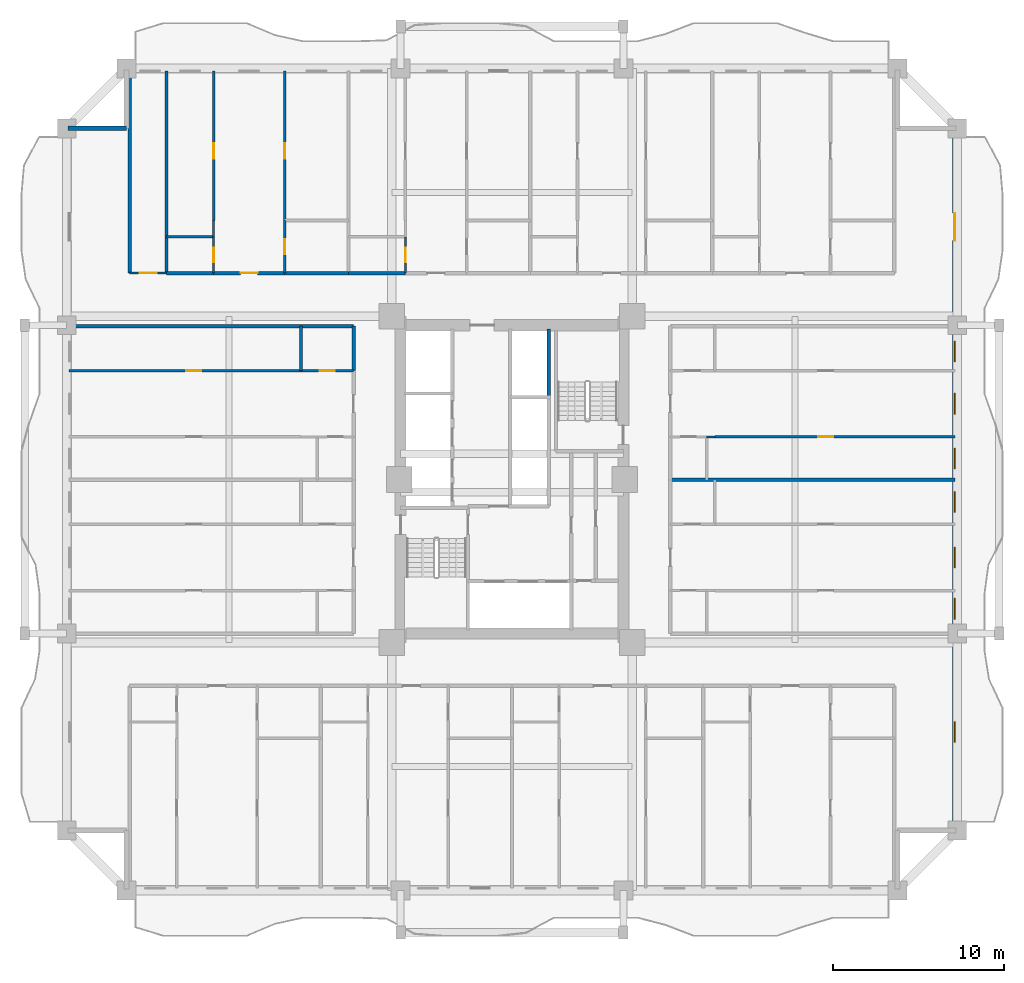
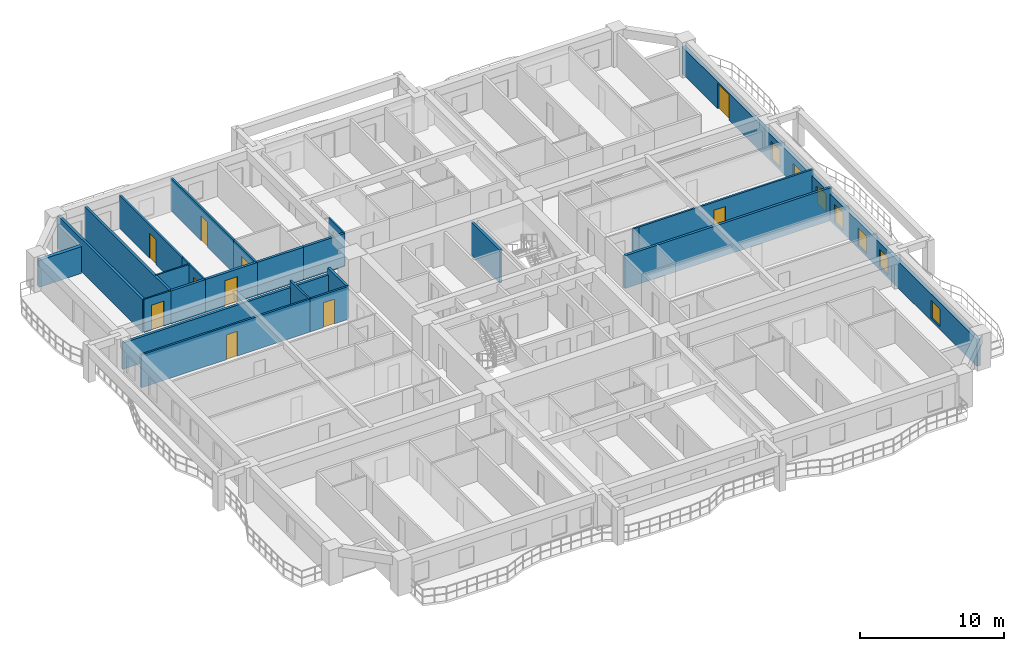
# One storey, part 6 of 16: 25 walls, 11 doors, 7 windows, 18 openings.
"""IFC4 building model written with IfcOpenShell, lengths in metres."""

import ifcopenshell
import ifcopenshell.guid

model = None  # the IFC model being written
_history = None  # IfcOwnerHistory: only IFC2X3 demands one
_inside = {}  # id of a spatial element -> (the spatial element, [elements in it])
_under = {}  # id of a project, library or spatial element -> (it, [spatial elements below it])
_declared = {}  # id of a project -> (the project, [libraries it declares])
_typed = {}  # id of a type object -> (the type object, [elements of that type])
_made_of = {}  # id of a material, layer set ... -> (it, [elements and type objects made of it])


def new_model(schema):
    """Start an empty IFC model of exactly this schema.

    Asked for "IFC4X3", IfcOpenShell would pick the latest addendum, in which some entities
    have other attributes; the version numbers below select the first issue.
    IFC2X3 requires an IfcOwnerHistory on every rooted entity: one is made here for all.
    """
    global model, _history
    if schema == "IFC4X3":
        model = ifcopenshell.file(schema_version=(4, 3, 0, 0))
    else:
        model = ifcopenshell.file(schema=schema)
    _inside.clear()
    _under.clear()
    _declared.clear()
    _typed.clear()
    _made_of.clear()
    _history = None
    if model.schema == "IFC2X3":
        org = make("IfcOrganization", Name="unknown")
        user = make(
            "IfcPersonAndOrganization",
            ThePerson=make("IfcPerson", FamilyName="unknown"),
            TheOrganization=org,
        )
        app = make(
            "IfcApplication",
            ApplicationDeveloper=org,
            Version="unknown",
            ApplicationFullName="unknown",
            ApplicationIdentifier="unknown",
        )
        _history = make(
            "IfcOwnerHistory",
            OwningUser=user,
            OwningApplication=app,
            ChangeAction="ADDED",
            CreationDate=0,
        )
    return model


def make(cls, **values):
    """One entity of the class cls with the attributes given. An attribute that is None is left unset."""
    return model.create_entity(
        cls, **{name: value for name, value in values.items() if value is not None}
    )


def rooted(cls, **values):
    """An entity with a GlobalId (a new one), such as an element, a storey or a relation."""
    return make(cls, GlobalId=ifcopenshell.guid.new(), OwnerHistory=_history, **values)


def si_unit(unit_type, name, prefix=None):
    """IfcSIUnit, for example si_unit("LENGTHUNIT", "METRE", prefix="MILLI")."""
    return make("IfcSIUnit", UnitType=unit_type, Prefix=prefix, Name=name)


def assignment(units):
    """IfcUnitAssignment: the units of a project."""
    return None if units is None else make("IfcUnitAssignment", Units=units)


def point(xyz):
    """IfcCartesianPoint."""
    return None if xyz is None else make("IfcCartesianPoint", Coordinates=xyz)


def direction(xyz):
    """IfcDirection."""
    return None if xyz is None else make("IfcDirection", DirectionRatios=xyz)


def frame(location, z_axis=None, x_axis=None):
    """IfcAxis2Placement3D, a coordinate frame: its origin and axes. An axis left out is left unset."""
    return make(
        "IfcAxis2Placement3D",
        Location=point(location),
        Axis=direction(z_axis),
        RefDirection=direction(x_axis),
    )


def frame_2d(location, x_axis=None):
    """IfcAxis2Placement2D, a coordinate frame in the plane: its origin and x axis."""
    return make(
        "IfcAxis2Placement2D", Location=point(location), RefDirection=direction(x_axis)
    )


def origin():
    """The frame at (0, 0, 0) with its axes left unset."""
    return frame((0.0, 0.0, 0.0))


def place(relative_to, where):
    """IfcLocalPlacement: puts the frame where relative to a parent placement (None: the world)."""
    return make(
        "IfcLocalPlacement", PlacementRelTo=relative_to, RelativePlacement=where
    )


def context(
    kind, dimensions, precision=None, world=None, true_north=None, identifier=None
):
    """IfcGeometricRepresentationContext, for example the 3D "Model" context."""
    return make(
        "IfcGeometricRepresentationContext",
        ContextIdentifier=identifier,
        ContextType=kind,
        CoordinateSpaceDimension=dimensions,
        Precision=precision,
        WorldCoordinateSystem=world,
        TrueNorth=true_north,
    )


def subcontext(parent, identifier, kind, view, scale=None):
    """IfcGeometricRepresentationSubContext, for example "Body" below "Model"."""
    return make(
        "IfcGeometricRepresentationSubContext",
        ContextIdentifier=identifier,
        ContextType=kind,
        ParentContext=parent,
        TargetScale=scale,
        TargetView=view,
    )


def project(units=None, contexts=None):
    """IfcProject with its units and contexts."""
    return rooted(
        "IfcProject",
        Name="project",
        RepresentationContexts=contexts,
        UnitsInContext=assignment(units),
    )


def spatial(cls, under=None, at=None, **own):
    """A site, building, storey or space (cls), placed at a placement, below another one or the project."""
    s = rooted(cls, ObjectPlacement=at, **own)
    if under is not None:
        _under.setdefault(under.id(), (under, []))[1].append(s)
    return s


def profile(cls, at=None, kind="AREA", **sizes):
    """A parametric profile (cls). Its sizes go by their IFC names, for example OverallWidth=200.0."""
    return make(cls, ProfileType=kind, Position=at, **sizes)


def rectangle(**sizes):
    """IfcRectangleProfileDef."""
    return profile("IfcRectangleProfileDef", **sizes)


def extrude(swept, where, along, depth):
    """IfcExtrudedAreaSolid: the profile swept, set in the frame where, extruded along a direction by depth."""
    return make(
        "IfcExtrudedAreaSolid",
        SweptArea=swept,
        Position=where,
        ExtrudedDirection=direction(along),
        Depth=depth,
    )


def shape(context_of_items, identifier, shape_type, items):
    """IfcShapeRepresentation: the items that make up one representation, for example the "Body"."""
    return make(
        "IfcShapeRepresentation",
        ContextOfItems=context_of_items,
        RepresentationIdentifier=identifier,
        RepresentationType=shape_type,
        Items=items,
    )


def source(mapping_origin, context_of_items, identifier, shape_type, items):
    """IfcRepresentationMap: a shape defined once, which mapped items show again and again."""
    return make(
        "IfcRepresentationMap",
        MappingOrigin=mapping_origin,
        MappedRepresentation=shape(context_of_items, identifier, shape_type, items),
    )


def transform(
    local_origin,
    x_axis=None,
    y_axis=None,
    z_axis=None,
    scale=None,
    scale2=None,
    scale3=None,
    uniform=True,
):
    """IfcCartesianTransformationOperator3D, or its non-uniform kind. x_axis, y_axis, z_axis: its Axis1, 2, 3."""
    if uniform:
        return make(
            "IfcCartesianTransformationOperator3D",
            Axis1=direction(x_axis),
            Axis2=direction(y_axis),
            LocalOrigin=point(local_origin),
            Scale=scale,
            Axis3=direction(z_axis),
        )
    return make(
        "IfcCartesianTransformationOperator3DnonUniform",
        Axis1=direction(x_axis),
        Axis2=direction(y_axis),
        LocalOrigin=point(local_origin),
        Scale=scale,
        Axis3=direction(z_axis),
        Scale2=scale2,
        Scale3=scale3,
    )


def mapped(mapping_source, mapping_target):
    """IfcMappedItem: shows the shape of a source again, moved by a transform."""
    return make(
        "IfcMappedItem", MappingSource=mapping_source, MappingTarget=mapping_target
    )


def material(Name=None, Category=None):
    """IfcMaterial."""
    return make("IfcMaterial", Name=Name, Category=Category)


def layer(
    of_material, thickness, ventilated=None, Name=None, Category=None, Priority=None
):
    """IfcMaterialLayer: one layer of a wall or slab, of a material (None: an air gap)."""
    return make(
        "IfcMaterialLayer",
        Material=of_material,
        LayerThickness=thickness,
        IsVentilated=ventilated,
        Name=Name,
        Category=Category,
        Priority=Priority,
    )


def layer_set(layers, Name=None):
    """IfcMaterialLayerSet."""
    return make("IfcMaterialLayerSet", MaterialLayers=layers, LayerSetName=Name)


def made_of(thing, what):
    """Note that an element or type object is made of a material, layer set ...; save() writes the relation."""
    if what is not None:
        _made_of.setdefault(what.id(), (what, []))[1].append(thing)
    return thing


def type_object(cls, material=None, **own):
    """A type object (cls), such as IfcWallType, which elements share."""
    return made_of(rooted(cls, **own), material)


def element(
    cls,
    number,
    at=None,
    inside=None,
    cuts=None,
    type_object=None,
    material=None,
    context=None,
    identifier="Body",
    shape_type=None,
    held_by="IfcProductDefinitionShape",
    body=None,
    shapes=None,
    **own,
):
    """One element of the class cls, such as IfcWall. Its Tag is "e" and its number.

    at: its placement. inside: the storey or other place that contains it. cuts: it is an
    opening in that element (IfcRelVoidsElement). A single representation is given by context,
    identifier, shape_type and body (its items); several are given by shapes. held_by: the class
    of the entity that holds the representations. save() writes the other relations.
    """
    e = rooted(cls, Tag="e%d" % number, ObjectPlacement=at, **own)
    if body is not None:
        shapes = [shape(context, identifier, shape_type, body)]
    if shapes is not None:
        e.Representation = make(held_by, Representations=shapes)
    if inside is not None:
        _inside.setdefault(inside.id(), (inside, []))[1].append(e)
    if cuts is not None:
        rooted(
            "IfcRelVoidsElement", RelatingBuildingElement=cuts, RelatedOpeningElement=e
        )
    if type_object is not None:
        _typed.setdefault(type_object.id(), (type_object, []))[1].append(e)
    return made_of(e, material)


def fill(opening, filler):
    """IfcRelFillsElement: the door or window that sits in an opening."""
    return rooted(
        "IfcRelFillsElement",
        RelatingOpeningElement=opening,
        RelatedBuildingElement=filler,
    )


def aggregate(whole, parts):
    """IfcRelAggregates: a whole, such as a stair, and the parts it consists of."""
    return rooted("IfcRelAggregates", RelatingObject=whole, RelatedObjects=parts)


def save(model, path):
    """Write the relations noted so far, then the file.

    IfcRelAggregates (storeys below a building ...), IfcRelContainedInSpatialStructure (elements
    in a storey), IfcRelDefinesByType, IfcRelAssociatesMaterial and IfcRelDeclares: one each for
    every whole, place, type object, material and project.
    """
    for whole, parts in _under.values():
        aggregate(whole, parts)
    for where, things in _inside.values():
        rooted(
            "IfcRelContainedInSpatialStructure",
            RelatedElements=things,
            RelatingStructure=where,
        )
    for kind, things in _typed.values():
        rooted("IfcRelDefinesByType", RelatedObjects=things, RelatingType=kind)
    for what, things in _made_of.values():
        rooted("IfcRelAssociatesMaterial", RelatedObjects=things, RelatingMaterial=what)
    for by, libraries in _declared.values():
        rooted("IfcRelDeclares", RelatingContext=by, RelatedDefinitions=libraries)
    model.write(path)


model = new_model("IFC4")

# Units and contexts
model_context = context("Model", 3, precision=1e-05, world=origin(), true_north=direction((0.0, 1.0)))
body_context = subcontext(model_context, "Body", "Model", "MODEL_VIEW")
ifc_project = project(units=[si_unit("LENGTHUNIT", "METRE"), si_unit("AREAUNIT", "SQUARE_METRE"), si_unit("VOLUMEUNIT", "CUBIC_METRE"), si_unit("PLANEANGLEUNIT", "RADIAN"), si_unit("MASSUNIT", "GRAM", prefix="KILO")], contexts=[model_context])

# Site, building, storey
site_placement = place(None, origin())
site = spatial("IfcSite", under=ifc_project, at=site_placement, CompositionType="ELEMENT")
building_placement = place(site_placement, origin())
building = spatial("IfcBuilding", under=site, at=building_placement, Name="Saelheon Loggia Tower", CompositionType="ELEMENT")
storey_placement = place(building_placement, frame((0.0, 0.0, 64.39990234375)))
storey = spatial("IfcBuildingStorey", under=building, at=storey_placement, Name="L20", CompositionType="ELEMENT", Elevation=64.39990234375)

# Wall, openings, windows, door
ifc_material_1 = material(Name="Architectural Precast Concrete C40/50", Category="concrete")
ifc_layer_1 = layer(ifc_material_1, 0.280029296875)
ifc_layer_set_1 = layer_set([ifc_layer_1], Name="Architectural Precast Concrete C40/50")
wall_type_1 = type_object("IfcWallType", Name="Wall_Ext_Loggia_280", PredefinedType="SOLIDWALL", material=ifc_layer_set_1)
wall_1_placement = place(storey_placement, frame((63.860107421875, 6.5, 0.0), z_axis=(0.0, 0.0, 1.0), x_axis=(0.0, 1.0, 0.0)))
wall_1 = element("IfcWall", 1, at=wall_1_placement, inside=storey, type_object=wall_type_1, Name="L20 East Loggia Inner Wall", PredefinedType="SOLIDWALL", context=body_context, shape_type="SweptSolid", body=[
    extrude(rectangle(XDim=41.0, YDim=0.280029296875, at=frame_2d((20.5, 0.0))), origin(), (0.0, 0.0, 1.0), 2.280029296875),
])
opening_1_placement = place(wall_1_placement, frame((5.14990234375, 0.0, 0.25)))
opening_1 = element("IfcOpeningElement", 2, at=opening_1_placement, cuts=wall_1, Name="Opening WN-03", PredefinedType="OPENING", context=body_context, shape_type="SweptSolid", body=[
    extrude(rectangle(XDim=1.199951171875, YDim=1.5, at=frame_2d((0.60009765625, 0.75))), frame((0.0, 0.152099609375, 0.0), z_axis=(0.0, -1.0, 0.0), x_axis=(1.0, 0.0, 0.0)), (0.0, 0.0, 1.0), 0.303955078125),
])
opening_2_placement = place(wall_1_placement, frame((12.3515625, 0.0, 0.25)))
opening_2 = element("IfcOpeningElement", 3, at=opening_2_placement, cuts=wall_1, Name="Opening WN-03", PredefinedType="OPENING", context=body_context, shape_type="SweptSolid", body=[
    extrude(rectangle(XDim=1.199951171875, YDim=1.5, at=frame_2d((0.60009765625, 0.75))), frame((0.0, 0.152099609375, 0.0), z_axis=(0.0, -1.0, 0.0), x_axis=(1.0, 0.0, 0.0)), (0.0, 0.0, 1.0), 0.303955078125),
])
opening_3_placement = place(wall_1_placement, frame((15.343994140625, 0.0, 0.25)))
opening_3 = element("IfcOpeningElement", 4, at=opening_3_placement, cuts=wall_1, Name="Opening WN-03", PredefinedType="OPENING", context=body_context, shape_type="SweptSolid", body=[
    extrude(rectangle(XDim=1.199951171875, YDim=1.5, at=frame_2d((0.60009765625, 0.75))), frame((0.0, 0.152099609375, 0.0), z_axis=(0.0, -1.0, 0.0), x_axis=(1.0, 0.0, 0.0)), (0.0, 0.0, 1.0), 0.303955078125),
])
opening_4_placement = place(wall_1_placement, frame((18.574951171875, 0.0, 0.25)))
opening_4 = element("IfcOpeningElement", 5, at=opening_4_placement, cuts=wall_1, Name="Opening WN-03", PredefinedType="OPENING", context=body_context, shape_type="SweptSolid", body=[
    extrude(rectangle(XDim=1.199951171875, YDim=1.5, at=frame_2d((0.60009765625, 0.75))), frame((0.0, 0.152099609375, 0.0), z_axis=(0.0, -1.0, 0.0), x_axis=(1.0, 0.0, 0.0)), (0.0, 0.0, 1.0), 0.303955078125),
])
opening_5_placement = place(wall_1_placement, frame((21.131591796875, 0.0, 0.25)))
opening_5 = element("IfcOpeningElement", 6, at=opening_5_placement, cuts=wall_1, Name="Opening WN-03", PredefinedType="OPENING", context=body_context, shape_type="SweptSolid", body=[
    extrude(rectangle(XDim=1.199951171875, YDim=1.5, at=frame_2d((0.60009765625, 0.75))), frame((0.0, 0.152099609375, 0.0), z_axis=(0.0, -1.0, 0.0), x_axis=(1.0, 0.0, 0.0)), (0.0, 0.0, 1.0), 0.303955078125),
])
opening_6_placement = place(wall_1_placement, frame((24.319091796875, 0.0, 0.25)))
opening_6 = element("IfcOpeningElement", 7, at=opening_6_placement, cuts=wall_1, Name="Opening WN-03", PredefinedType="OPENING", context=body_context, shape_type="SweptSolid", body=[
    extrude(rectangle(XDim=1.199951171875, YDim=1.5, at=frame_2d((0.60009765625, 0.75))), frame((0.0, 0.152099609375, 0.0), z_axis=(0.0, -1.0, 0.0), x_axis=(1.0, 0.0, 0.0)), (0.0, 0.0, 1.0), 0.303955078125),
])
opening_7_placement = place(wall_1_placement, frame((27.3798828125, 0.0, 0.25)))
opening_7 = element("IfcOpeningElement", 8, at=opening_7_placement, cuts=wall_1, Name="Opening WN-03", PredefinedType="OPENING", context=body_context, shape_type="SweptSolid", body=[
    extrude(rectangle(XDim=1.199951171875, YDim=1.5, at=frame_2d((0.60009765625, 0.75))), frame((0.0, 0.152099609375, 0.0), z_axis=(0.0, -1.0, 0.0), x_axis=(1.0, 0.0, 0.0)), (0.0, 0.0, 1.0), 0.303955078125),
])
opening_8_placement = place(wall_1_placement, frame((36.050048828125, 0.0, 0.0), z_axis=(0.0, 0.0, 1.0), x_axis=(-1.0, 0.0, 0.0)))
opening_8 = element("IfcOpeningElement", 9, at=opening_8_placement, cuts=wall_1, Name="Opening DLG-1", PredefinedType="OPENING", context=body_context, shape_type="SweptSolid", body=[
    extrude(rectangle(XDim=1.60009765625, YDim=2.14990234375, at=frame_2d((0.800048828125, 1.074951171875))), frame((0.0, 0.152099609375, 0.0), z_axis=(0.0, -1.0, 0.0), x_axis=(1.0, 0.0, 0.0)), (0.0, 0.0, 1.0), 0.303955078125),
])
ifc_material_2 = material(Name="Thermal-Break Aluminium and Triple Low-E Glass", Category="aluminium")
window_type = type_object("IfcWindowType", Name="Win_Bedroom_1200x1500", PartitioningType="SINGLE_PANEL", PredefinedType="WINDOW", material=ifc_material_2)
shared_shape_1 = source(origin(), body_context, "Body", "SweptSolid", [
    extrude(rectangle(XDim=1.199951171875, YDim=1.5, at=frame_2d((0.60009765625, 0.75))), frame((0.0, 0.030029296875, 0.0), z_axis=(0.0, -1.0, 0.0), x_axis=(1.0, 0.0, 0.0)), (0.0, 0.0, 1.0), 0.06005859375),
])
window_1_placement = place(opening_1_placement, origin())
window_1 = element("IfcWindow", 10, at=window_1_placement, inside=storey, type_object=window_type, Name="L20 E Dwelling Window 1", OverallHeight=1.5, OverallWidth=1.199951171875, PartitioningType="SINGLE_PANEL", PredefinedType="WINDOW", context=body_context, shape_type="MappedRepresentation", body=[
    mapped(shared_shape_1, transform((0.0, 0.0, 0.0), scale=1.0)),
])
fill(opening_1, window_1)
window_2_placement = place(opening_2_placement, origin())
window_2 = element("IfcWindow", 11, at=window_2_placement, inside=storey, type_object=window_type, Name="L20 E Dwelling Window 2", OverallHeight=1.5, OverallWidth=1.199951171875, PartitioningType="SINGLE_PANEL", PredefinedType="WINDOW", context=body_context, shape_type="MappedRepresentation", body=[
    mapped(shared_shape_1, transform((0.0, 0.0, 0.0), scale=1.0)),
])
fill(opening_2, window_2)
window_3_placement = place(opening_3_placement, origin())
window_3 = element("IfcWindow", 12, at=window_3_placement, inside=storey, type_object=window_type, Name="L20 E Dwelling Window 3", OverallHeight=1.5, OverallWidth=1.199951171875, PartitioningType="SINGLE_PANEL", PredefinedType="WINDOW", context=body_context, shape_type="MappedRepresentation", body=[
    mapped(shared_shape_1, transform((0.0, 0.0, 0.0), scale=1.0)),
])
fill(opening_3, window_3)
window_4_placement = place(opening_4_placement, origin())
window_4 = element("IfcWindow", 13, at=window_4_placement, inside=storey, type_object=window_type, Name="L20 E Dwelling Window 4", OverallHeight=1.5, OverallWidth=1.199951171875, PartitioningType="SINGLE_PANEL", PredefinedType="WINDOW", context=body_context, shape_type="MappedRepresentation", body=[
    mapped(shared_shape_1, transform((0.0, 0.0, 0.0), scale=1.0)),
])
fill(opening_4, window_4)
window_5_placement = place(opening_5_placement, origin())
window_5 = element("IfcWindow", 14, at=window_5_placement, inside=storey, type_object=window_type, Name="L20 E Dwelling Window 5", OverallHeight=1.5, OverallWidth=1.199951171875, PartitioningType="SINGLE_PANEL", PredefinedType="WINDOW", context=body_context, shape_type="MappedRepresentation", body=[
    mapped(shared_shape_1, transform((0.0, 0.0, 0.0), scale=1.0)),
])
fill(opening_5, window_5)
window_6_placement = place(opening_6_placement, origin())
window_6 = element("IfcWindow", 15, at=window_6_placement, inside=storey, type_object=window_type, Name="L20 E Dwelling Window 6", OverallHeight=1.5, OverallWidth=1.199951171875, PartitioningType="SINGLE_PANEL", PredefinedType="WINDOW", context=body_context, shape_type="MappedRepresentation", body=[
    mapped(shared_shape_1, transform((0.0, 0.0, 0.0), scale=1.0)),
])
fill(opening_6, window_6)
window_7_placement = place(opening_7_placement, origin())
window_7 = element("IfcWindow", 16, at=window_7_placement, inside=storey, type_object=window_type, Name="L20 E Dwelling Window 7", OverallHeight=1.5, OverallWidth=1.199951171875, PartitioningType="SINGLE_PANEL", PredefinedType="WINDOW", context=body_context, shape_type="MappedRepresentation", body=[
    mapped(shared_shape_1, transform((0.0, 0.0, 0.0), scale=1.0)),
])
fill(opening_7, window_7)
ifc_material_3 = material(Name="Thermal-Break Aluminium Sliding Glazed Door", Category="aluminium")
door_type_1 = type_object("IfcDoorType", Name="Door_LoggiaSlide_1600", OperationType="SLIDING_TO_LEFT", PredefinedType="DOOR", material=ifc_material_3)
shared_shape_2 = source(origin(), body_context, "Body", "SweptSolid", [
    extrude(rectangle(XDim=1.60009765625, YDim=2.14990234375, at=frame_2d((0.800048828125, 1.074951171875))), frame((0.0, 0.02490234375, 0.0), z_axis=(0.0, -1.0, 0.0), x_axis=(1.0, 0.0, 0.0)), (0.0, 0.0, 1.0), 0.050048828125),
])
door_1_placement = place(opening_8_placement, origin())
door_1 = element("IfcDoor", 17, at=door_1_placement, inside=storey, type_object=door_type_1, Name="L20 E Loggia Access Door", OperationType="SLIDING_TO_LEFT", OverallHeight=2.14990234375, OverallWidth=1.60009765625, PredefinedType="DOOR", context=body_context, shape_type="MappedRepresentation", body=[
    mapped(shared_shape_2, transform((0.0, 0.0, 0.0), scale=1.0)),
])
fill(opening_8, door_1)

# Wall
wall_2_placement = place(storey_placement, frame((12.080078125, 47.5, 0.0), z_axis=(0.0, 0.0, 1.0), x_axis=(1.0, 0.0, 0.0)))
element("IfcWall", 18, at=wall_2_placement, inside=storey, type_object=wall_type_1, Name="L20 Corner Notch Precast Wall NW2", PredefinedType="SOLIDWALL", context=body_context, shape_type="SweptSolid", body=[
    extrude(rectangle(XDim=3.419921875, YDim=0.280029296875, at=frame_2d((1.7099609375, 0.0))), origin(), (0.0, 0.0, 1.0), 2.280029296875),
])

# Wall, opening, door
ifc_material_4 = material(Name="Lightweight Autoclaved Aerated Concrete Block and Acoustic Gypsum", Category="concrete")
ifc_layer_2 = layer(ifc_material_4, 0.14990234375)
ifc_layer_set_2 = layer_set([ifc_layer_2], Name="Lightweight Autoclaved Aerated Concrete Block and Acoustic Gypsum")
wall_type_2 = type_object("IfcWallType", Name="Wall_Part_150", PredefinedType="PARTITIONING", material=ifc_layer_set_2)
wall_3_placement = place(storey_placement, frame((20.580078125, 42.1201171875, 0.0), z_axis=(0.0, 0.0, 1.0), x_axis=(0.0, 1.0, 0.0)))
wall_3 = element("IfcWall", 19, at=wall_3_placement, inside=storey, type_object=wall_type_2, Name="L20 N Partition U12", PredefinedType="PARTITIONING", context=body_context, shape_type="SweptSolid", body=[
    extrude(rectangle(XDim=8.72998046875, YDim=0.14990234375, at=frame_2d((4.364990234375, 0.0))), origin(), (0.0, 0.0, 1.0), 2.7900390625),
])
opening_9_placement = place(wall_3_placement, frame((3.60888671875, 0.0, 0.0)))
opening_9 = element("IfcOpeningElement", 20, at=opening_9_placement, cuts=wall_3, Name="Opening D-IN2", PredefinedType="OPENING", context=body_context, shape_type="SweptSolid", body=[
    extrude(rectangle(XDim=0.89990234375, YDim=2.10009765625, at=frame_2d((0.449951171875, 1.050048828125))), frame((0.0, 0.0869140625, 0.0), z_axis=(0.0, -1.0, 0.0), x_axis=(1.0, 0.0, 0.0)), (0.0, 0.0, 1.0), 0.173828125),
])
ifc_material_5 = material(Name="Engineered Oak Flush Door", Category="timber")
door_type_2 = type_object("IfcDoorType", Name="Door_Int_900", OperationType="NOTDEFINED", PredefinedType="DOOR", material=ifc_material_5)
shared_shape_3 = source(origin(), body_context, "Body", "SweptSolid", [
    extrude(rectangle(XDim=0.89990234375, YDim=2.10009765625, at=frame_2d((0.449951171875, 1.050048828125))), frame((0.0, 0.02490234375, 0.0), z_axis=(0.0, -1.0, 0.0), x_axis=(1.0, 0.0, 0.0)), (0.0, 0.0, 1.0), 0.050048828125),
])
door_2_placement = place(opening_9_placement, origin())
door_2 = element("IfcDoor", 21, at=door_2_placement, inside=storey, type_object=door_type_2, Name="Unit U05 Kitchen Door", OperationType="SINGLE_SWING_LEFT", OverallHeight=2.10009765625, OverallWidth=0.89990234375, PredefinedType="DOOR", context=body_context, shape_type="MappedRepresentation", body=[
    mapped(shared_shape_3, transform((0.0, 0.0, 0.0), scale=1.0)),
])
fill(opening_9, door_2)

wall_4_placement = place(storey_placement, frame((24.729736328125, 39.050048828125, 0.0), z_axis=(0.0, 0.0, 1.0), x_axis=(0.0, 1.0, 0.0)))
wall_4 = element("IfcWall", 22, at=wall_4_placement, inside=storey, type_object=wall_type_2, Name="L20 N Partition U13", PredefinedType="PARTITIONING", context=body_context, shape_type="SweptSolid", body=[
    extrude(rectangle(XDim=3.070068359375, YDim=0.14990234375, at=frame_2d((1.53515625, 0.0))), origin(), (0.0, 0.0, 1.0), 2.7900390625),
])
opening_10_placement = place(wall_4_placement, frame((1.0849609375, 0.0, 0.0)))
opening_10 = element("IfcOpeningElement", 23, at=opening_10_placement, cuts=wall_4, Name="Opening D-IN2", PredefinedType="OPENING", context=body_context, shape_type="SweptSolid", body=[
    extrude(rectangle(XDim=0.89990234375, YDim=2.10009765625, at=frame_2d((0.449951171875, 1.050048828125))), frame((0.0, 0.0869140625, 0.0), z_axis=(0.0, -1.0, 0.0), x_axis=(1.0, 0.0, 0.0)), (0.0, 0.0, 1.0), 0.173828125),
])
door_3_placement = place(opening_10_placement, origin())
door_3 = element("IfcDoor", 24, at=door_3_placement, inside=storey, type_object=door_type_2, Name="Unit U05 Dressing Closet Door", OperationType="SINGLE_SWING_RIGHT", OverallHeight=2.10009765625, OverallWidth=0.89990234375, PredefinedType="DOOR", context=body_context, shape_type="MappedRepresentation", body=[
    mapped(shared_shape_3, transform((0.0, 0.0, 0.0), scale=1.0)),
])
fill(opening_10, door_3)

wall_5_placement = place(storey_placement, frame((24.729736328125, 42.1201171875, 0.0), z_axis=(0.0, 0.0, 1.0), x_axis=(0.0, 1.0, 0.0)))
wall_5 = element("IfcWall", 25, at=wall_5_placement, inside=storey, type_object=wall_type_2, Name="L20 N Partition U14", PredefinedType="PARTITIONING", context=body_context, shape_type="SweptSolid", body=[
    extrude(rectangle(XDim=8.72998046875, YDim=0.14990234375, at=frame_2d((4.364990234375, 0.0))), origin(), (0.0, 0.0, 1.0), 2.7900390625),
])
opening_11_placement = place(wall_5_placement, frame((3.60888671875, 0.0, 0.0)))
opening_11 = element("IfcOpeningElement", 26, at=opening_11_placement, cuts=wall_5, Name="Opening D-IN2", PredefinedType="OPENING", context=body_context, shape_type="SweptSolid", body=[
    extrude(rectangle(XDim=0.89990234375, YDim=2.10009765625, at=frame_2d((0.449951171875, 1.050048828125))), frame((0.0, 0.0869140625, 0.0), z_axis=(0.0, -1.0, 0.0), x_axis=(1.0, 0.0, 0.0)), (0.0, 0.0, 1.0), 0.173828125),
])
door_4_placement = place(opening_11_placement, origin())
door_4 = element("IfcDoor", 27, at=door_4_placement, inside=storey, type_object=door_type_2, Name="Unit U05 Bedroom 1 Door", OperationType="SINGLE_SWING_LEFT", OverallHeight=2.10009765625, OverallWidth=0.89990234375, PredefinedType="DOOR", context=body_context, shape_type="MappedRepresentation", body=[
    mapped(shared_shape_3, transform((0.0, 0.0, 0.0), scale=1.0)),
])
fill(opening_11, door_4)

# Wall
wall_6_placement = place(storey_placement, frame((25.679931640625, 33.35009765625, 0.0), z_axis=(0.0, 0.0, 1.0), x_axis=(0.0, 1.0, 0.0)))
element("IfcWall", 28, at=wall_6_placement, inside=storey, type_object=wall_type_2, Name="L20 W Partition V18", PredefinedType="PARTITIONING", context=body_context, shape_type="SweptSolid", body=[
    extrude(rectangle(XDim=2.599853515625, YDim=0.14990234375, at=frame_2d((1.2998046875, 0.0))), origin(), (0.0, 0.0, 1.0), 2.7900390625),
])

# Wall, opening, door
wall_7_placement = place(storey_placement, frame((28.75, 33.35009765625, 0.0), z_axis=(0.0, 0.0, 1.0), x_axis=(-1.0, 0.0, 0.0)))
wall_7 = element("IfcWall", 29, at=wall_7_placement, inside=storey, type_object=wall_type_2, Name="L20 W Partition U22", PredefinedType="PARTITIONING", context=body_context, shape_type="SweptSolid", body=[
    extrude(rectangle(XDim=3.070068359375, YDim=0.14990234375, at=frame_2d((1.53515625, 0.0))), origin(), (0.0, 0.0, 1.0), 2.7900390625),
])
opening_12_placement = place(wall_7_placement, frame((1.0849609375, 0.0, 0.0)))
opening_12 = element("IfcOpeningElement", 30, at=opening_12_placement, cuts=wall_7, Name="Opening D-IN2", PredefinedType="OPENING", context=body_context, shape_type="SweptSolid", body=[
    extrude(rectangle(XDim=0.89990234375, YDim=2.10009765625, at=frame_2d((0.449951171875, 1.050048828125))), frame((0.0, 0.0869140625, 0.0), z_axis=(0.0, -1.0, 0.0), x_axis=(1.0, 0.0, 0.0)), (0.0, 0.0, 1.0), 0.173828125),
])
door_5_placement = place(opening_12_placement, origin())
door_5 = element("IfcDoor", 31, at=door_5_placement, inside=storey, type_object=door_type_2, Name="Unit U10 Dressing Closet Door", OperationType="SINGLE_SWING_LEFT", OverallHeight=2.10009765625, OverallWidth=0.89990234375, PredefinedType="DOOR", context=body_context, shape_type="MappedRepresentation", body=[
    mapped(shared_shape_3, transform((0.0, 0.0, 0.0), scale=1.0)),
])
fill(opening_12, door_5)

wall_8_placement = place(storey_placement, frame((25.679931640625, 33.35009765625, 0.0), z_axis=(0.0, 0.0, 1.0), x_axis=(-1.0, 0.0, 0.0)))
wall_8 = element("IfcWall", 32, at=wall_8_placement, inside=storey, type_object=wall_type_2, Name="L20 W Partition U23", PredefinedType="PARTITIONING", context=body_context, shape_type="SweptSolid", body=[
    extrude(rectangle(XDim=13.530029296875, YDim=0.14990234375, at=frame_2d((6.76513671875, 0.0))), origin(), (0.0, 0.0, 1.0), 2.7900390625),
])
opening_13_placement = place(wall_8_placement, frame((5.80859375, 0.0, 0.0)))
opening_13 = element("IfcOpeningElement", 33, at=opening_13_placement, cuts=wall_8, Name="Opening D-IN2", PredefinedType="OPENING", context=body_context, shape_type="SweptSolid", body=[
    extrude(rectangle(XDim=0.89990234375, YDim=2.10009765625, at=frame_2d((0.449951171875, 1.050048828125))), frame((0.0, 0.0869140625, 0.0), z_axis=(0.0, -1.0, 0.0), x_axis=(1.0, 0.0, 0.0)), (0.0, 0.0, 1.0), 0.173828125),
])
door_6_placement = place(opening_13_placement, origin())
door_6 = element("IfcDoor", 34, at=door_6_placement, inside=storey, type_object=door_type_2, Name="Unit U10 Bedroom 1 Door", OperationType="SINGLE_SWING_RIGHT", OverallHeight=2.10009765625, OverallWidth=0.89990234375, PredefinedType="DOOR", context=body_context, shape_type="MappedRepresentation", body=[
    mapped(shared_shape_3, transform((0.0, 0.0, 0.0), scale=1.0)),
])
fill(opening_13, door_6)

wall_9_placement = place(storey_placement, frame((49.840087890625, 29.488037109375, 0.0), z_axis=(0.0, 0.0, 1.0), x_axis=(1.0, 0.0, 0.0)))
wall_9 = element("IfcWall", 35, at=wall_9_placement, inside=storey, type_object=wall_type_2, Name="L20 E Partition U21", PredefinedType="PARTITIONING", context=body_context, shape_type="SweptSolid", body=[
    extrude(rectangle(XDim=14.010009765625, YDim=0.14990234375, at=frame_2d((7.0048828125, 0.0))), origin(), (0.0, 0.0, 1.0), 2.7900390625),
])
opening_14_placement = place(wall_9_placement, frame((6.02880859375, 0.0, 0.0)))
opening_14 = element("IfcOpeningElement", 36, at=opening_14_placement, cuts=wall_9, Name="Opening D-IN2", PredefinedType="OPENING", context=body_context, shape_type="SweptSolid", body=[
    extrude(rectangle(XDim=0.89990234375, YDim=2.10009765625, at=frame_2d((0.449951171875, 1.050048828125))), frame((0.0, 0.0869140625, 0.0), z_axis=(0.0, -1.0, 0.0), x_axis=(1.0, 0.0, 0.0)), (0.0, 0.0, 1.0), 0.173828125),
])
door_7_placement = place(opening_14_placement, origin())
door_7 = element("IfcDoor", 37, at=door_7_placement, inside=storey, type_object=door_type_2, Name="Unit U12 Kitchen Door", OperationType="SINGLE_SWING_RIGHT", OverallHeight=2.10009765625, OverallWidth=0.89990234375, PredefinedType="DOOR", context=body_context, shape_type="MappedRepresentation", body=[
    mapped(shared_shape_3, transform((0.0, 0.0, 0.0), scale=1.0)),
])
fill(opening_14, door_7)

# Walls
ifc_material_6 = material(Name="Double Acoustic Stud and Fireboard Partition", Category="gypsum")
ifc_layer_3 = layer(ifc_material_6, 0.199951171875)
ifc_layer_set_3 = layer_set([ifc_layer_3], Name="Double Acoustic Stud and Fireboard Partition")
wall_type_3 = type_object("IfcWallType", Name="Wall_Party_200", PredefinedType="PARTITIONING", material=ifc_layer_set_3)
for number, where, z_axis, x_axis, name in (
    (38, (15.679931640625, 39.050048828125, 0.0), (0.0, 0.0, 1.0), (0.0, 1.0, 0.0), "L20 N Partition U01"),
    (39, (17.830078125, 39.050048828125, 0.0), (0.0, 0.0, 1.0), (0.0, 1.0, 0.0), "L20 N Partition U03"),
):
    element("IfcWall", number, at=place(storey_placement, frame(where, z_axis=z_axis, x_axis=x_axis)), inside=storey, type_object=wall_type_3, Name=name, PredefinedType="PARTITIONING", context=body_context, shape_type="SweptSolid", body=[
        extrude(rectangle(XDim=11.800048828125, YDim=0.199951171875, at=frame_2d((5.89990234375, 0.0))), origin(), (0.0, 0.0, 1.0), 2.7900390625),
    ])
wall_10_placement = place(storey_placement, frame((17.830078125, 39.050048828125, 0.0), z_axis=(0.0, 0.0, 1.0), x_axis=(1.0, 0.0, 0.0)))
element("IfcWall", 40, at=wall_10_placement, inside=storey, type_object=wall_type_3, Name="L20 N Partition V05", PredefinedType="PARTITIONING", context=body_context, shape_type="SweptSolid", body=[
    extrude(rectangle(XDim=2.75, YDim=0.199951171875, at=frame_2d((1.375, 0.0))), origin(), (0.0, 0.0, 1.0), 2.7900390625),
])

# Wall, opening, door
wall_11_placement = place(storey_placement, frame((20.580078125, 39.050048828125, 0.0), z_axis=(0.0, 0.0, 1.0), x_axis=(1.0, 0.0, 0.0)))
wall_11 = element("IfcWall", 41, at=wall_11_placement, inside=storey, type_object=wall_type_3, Name="L20 N Partition V06", PredefinedType="PARTITIONING", context=body_context, shape_type="SweptSolid", body=[
    extrude(rectangle(XDim=4.149658203125, YDim=0.199951171875, at=frame_2d((2.07470703125, 0.0))), origin(), (0.0, 0.0, 1.0), 2.7900390625),
])
opening_15_placement = place(wall_11_placement, frame((1.574951171875, 0.0, 0.0)))
opening_15 = element("IfcOpeningElement", 42, at=opening_15_placement, cuts=wall_11, Name="Opening D-FD1", PredefinedType="OPENING", context=body_context, shape_type="SweptSolid", body=[
    extrude(rectangle(XDim=1.0, YDim=2.14990234375, at=frame_2d((0.5, 1.074951171875))), frame((0.0, 0.112060546875, 0.0), z_axis=(0.0, -1.0, 0.0), x_axis=(1.0, 0.0, 0.0)), (0.0, 0.0, 1.0), 0.223876953125),
])
ifc_material_7 = material(Name="Fire-Rated Engineered Timber Entrance Door", Category="wood")
door_type_3 = type_object("IfcDoorType", Name="Door_Flat_FD30S", OperationType="NOTDEFINED", PredefinedType="DOOR", material=ifc_material_7)
shared_shape_4 = source(origin(), body_context, "Body", "SweptSolid", [
    extrude(rectangle(XDim=1.0, YDim=2.14990234375, at=frame_2d((0.5, 1.074951171875))), frame((0.0, 0.02490234375, 0.0), z_axis=(0.0, -1.0, 0.0), x_axis=(1.0, 0.0, 0.0)), (0.0, 0.0, 1.0), 0.050048828125),
])
door_8_placement = place(opening_15_placement, origin())
door_8 = element("IfcDoor", 43, at=door_8_placement, inside=storey, type_object=door_type_3, Name="Unit U05 Entrance Door", OperationType="SINGLE_SWING_LEFT", OverallHeight=2.14990234375, OverallWidth=1.0, PredefinedType="DOOR", context=body_context, shape_type="MappedRepresentation", body=[
    mapped(shared_shape_4, transform((0.0, 0.0, 0.0), scale=1.0)),
])
fill(opening_15, door_8)

# Walls
wall_12_placement = place(storey_placement, frame((24.729736328125, 39.050048828125, 0.0), z_axis=(0.0, 0.0, 1.0), x_axis=(1.0, 0.0, 0.0)))
element("IfcWall", 44, at=wall_12_placement, inside=storey, type_object=wall_type_3, Name="L20 N Partition V07", PredefinedType="PARTITIONING", context=body_context, shape_type="SweptSolid", body=[
    extrude(rectangle(XDim=3.72265625, YDim=0.199951171875, at=frame_2d((1.861328125, 0.0))), origin(), (0.0, 0.0, 1.0), 2.7900390625),
])
wall_13_placement = place(storey_placement, frame((28.452392578125, 39.050048828125, 0.0), z_axis=(0.0, 0.0, 1.0), x_axis=(1.0, 0.0, 0.0)))
element("IfcWall", 45, at=wall_13_placement, inside=storey, type_object=wall_type_3, Name="L20 N Partition V16", PredefinedType="PARTITIONING", context=body_context, shape_type="SweptSolid", body=[
    extrude(rectangle(XDim=3.32763671875, YDim=0.199951171875, at=frame_2d((1.663818359375, 0.0))), origin(), (0.0, 0.0, 1.0), 2.7900390625),
])
wall_14_placement = place(storey_placement, frame((28.75, 35.949951171875, 0.0), z_axis=(0.0, 0.0, 1.0), x_axis=(-1.0, 0.0, 0.0)))
element("IfcWall", 46, at=wall_14_placement, inside=storey, type_object=wall_type_3, Name="L20 W Partition U02", PredefinedType="PARTITIONING", context=body_context, shape_type="SweptSolid", body=[
    extrude(rectangle(XDim=16.60009765625, YDim=0.199951171875, at=frame_2d((8.300048828125, 0.0))), origin(), (0.0, 0.0, 1.0), 2.239990234375),
])
wall_15_placement = place(storey_placement, frame((28.75, 33.35009765625, 0.0), z_axis=(0.0, 0.0, 1.0), x_axis=(0.0, 1.0, 0.0)))
element("IfcWall", 47, at=wall_15_placement, inside=storey, type_object=wall_type_3, Name="L20 W Partition V16", PredefinedType="PARTITIONING", context=body_context, shape_type="SweptSolid", body=[
    extrude(rectangle(XDim=2.599853515625, YDim=0.199951171875, at=frame_2d((1.2998046875, 0.0))), origin(), (0.0, 0.0, 1.0), 2.7900390625),
])
wall_16_placement = place(storey_placement, frame((47.25, 26.97509765625, 0.0), z_axis=(0.0, 0.0, 1.0), x_axis=(1.0, 0.0, 0.0)))
element("IfcWall", 48, at=wall_16_placement, inside=storey, type_object=wall_type_3, Name="L20 E Partition U13", PredefinedType="PARTITIONING", context=body_context, shape_type="SweptSolid", body=[
    extrude(rectangle(XDim=16.60009765625, YDim=0.199951171875, at=frame_2d((8.300048828125, 0.0))), origin(), (0.0, 0.0, 1.0), 2.7900390625),
])
ifc_material_8 = material(Name="Concrete C40/50", Category="concrete")
ifc_layer_4 = layer(ifc_material_8, 0.199951171875)
ifc_layer_set_4 = layer_set([ifc_layer_4], Name="Concrete C40/50")
wall_type_4 = type_object("IfcWallType", Name="Wall_Shaft_200", PredefinedType="PARTITIONING", material=ifc_layer_set_4)
wall_17_placement = place(storey_placement, frame((40.14990234375, 31.800048828125, 0.0), z_axis=(0.0, 0.0, 1.0), x_axis=(0.0, 1.0, 0.0)))
element("IfcWall", 49, at=wall_17_placement, inside=storey, type_object=wall_type_4, Name="L20 East High-Rise Hoistway East Wall", PredefinedType="PARTITIONING", context=body_context, shape_type="SweptSolid", body=[
    extrude(rectangle(XDim=3.97998046875, YDim=0.199951171875, at=frame_2d((1.989990234375, 0.0))), origin(), (0.0, 0.0, 1.0), 2.7900390625),
])

# Wall, opening, door
ifc_material_9 = material(Name="Moisture-Resistant Cement Board Partition", Category="gypsum")
ifc_layer_5 = layer(ifc_material_9, 0.1201171875)
ifc_layer_set_5 = layer_set([ifc_layer_5], Name="Moisture-Resistant Cement Board Partition")
wall_type_5 = type_object("IfcWallType", Name="Wall_WetPart_120", PredefinedType="PARTITIONING", material=ifc_layer_set_5)
wall_18_placement = place(storey_placement, frame((15.679931640625, 39.050048828125, 0.0), z_axis=(0.0, 0.0, 1.0), x_axis=(1.0, 0.0, 0.0)))
wall_18 = element("IfcWall", 50, at=wall_18_placement, inside=storey, type_object=wall_type_5, Name="L20 N Partition V04", PredefinedType="PARTITIONING", context=body_context, shape_type="SweptSolid", body=[
    extrude(rectangle(XDim=2.150146484375, YDim=0.1201171875, at=frame_2d((1.0751953125, 0.0))), origin(), (0.0, 0.0, 1.0), 2.7900390625),
])
opening_16_placement = place(wall_18_placement, frame((0.574951171875, 0.0, 0.0)))
opening_16 = element("IfcOpeningElement", 51, at=opening_16_placement, cuts=wall_18, Name="Opening D-AC1", PredefinedType="OPENING", context=body_context, shape_type="SweptSolid", body=[
    extrude(rectangle(XDim=1.0, YDim=2.10009765625, at=frame_2d((0.5, 1.050048828125))), frame((0.0, 0.072021484375, 0.0), z_axis=(0.0, -1.0, 0.0), x_axis=(1.0, 0.0, 0.0)), (0.0, 0.0, 1.0), 0.14404296875),
])
ifc_material_10 = material(Name="Accessible Laminate Flush Door", Category="timber")
door_type_4 = type_object("IfcDoorType", Name="Door_Acc_1000", OperationType="NOTDEFINED", PredefinedType="DOOR", material=ifc_material_10)
shared_shape_5 = source(origin(), body_context, "Body", "SweptSolid", [
    extrude(rectangle(XDim=1.0, YDim=2.10009765625, at=frame_2d((0.5, 1.050048828125))), frame((0.0, 0.02490234375, 0.0), z_axis=(0.0, -1.0, 0.0), x_axis=(1.0, 0.0, 0.0)), (0.0, 0.0, 1.0), 0.050048828125),
])
door_9_placement = place(opening_16_placement, origin())
door_9 = element("IfcDoor", 52, at=door_9_placement, inside=storey, type_object=door_type_4, Name="L20 Floor Accessible WC Door", OperationType="SINGLE_SWING_RIGHT", OverallHeight=2.10009765625, OverallWidth=1.0, PredefinedType="DOOR", context=body_context, shape_type="MappedRepresentation", body=[
    mapped(shared_shape_5, transform((0.0, 0.0, 0.0), scale=1.0)),
])
fill(opening_16, door_9)

# Wall
wall_19_placement = place(storey_placement, frame((17.830078125, 41.169921875, 0.0), z_axis=(0.0, 0.0, 1.0), x_axis=(1.0, 0.0, 0.0)))
element("IfcWall", 53, at=wall_19_placement, inside=storey, type_object=wall_type_5, Name="L20 N Partition V08", PredefinedType="PARTITIONING", context=body_context, shape_type="SweptSolid", body=[
    extrude(rectangle(XDim=2.75, YDim=0.1201171875, at=frame_2d((1.375, 0.0))), origin(), (0.0, 0.0, 1.0), 2.7900390625),
])

# Wall, opening, door
wall_20_placement = place(storey_placement, frame((20.580078125, 39.050048828125, 0.0), z_axis=(0.0, 0.0, 1.0), x_axis=(0.0, 1.0, 0.0)))
wall_20 = element("IfcWall", 54, at=wall_20_placement, inside=storey, type_object=wall_type_5, Name="L20 N Partition U10", PredefinedType="PARTITIONING", context=body_context, shape_type="SweptSolid", body=[
    extrude(rectangle(XDim=2.119873046875, YDim=0.1201171875, at=frame_2d((1.06005859375, 0.0))), origin(), (0.0, 0.0, 1.0), 2.7900390625),
])
opening_17_placement = place(wall_20_placement, frame((0.635009765625, 0.0, 0.0)))
opening_17 = element("IfcOpeningElement", 55, at=opening_17_placement, cuts=wall_20, Name="Opening D-BT1", PredefinedType="OPENING", context=body_context, shape_type="SweptSolid", body=[
    extrude(rectangle(XDim=0.85009765625, YDim=2.050048828125, at=frame_2d((0.425048828125, 1.02490234375))), frame((0.0, 0.072021484375, 0.0), z_axis=(0.0, -1.0, 0.0), x_axis=(1.0, 0.0, 0.0)), (0.0, 0.0, 1.0), 0.14404296875),
])
ifc_material_11 = material(Name="Moisture-Resistant Laminate Timber Door", Category="wood")
door_type_5 = type_object("IfcDoorType", Name="Door_Bath_850", OperationType="NOTDEFINED", PredefinedType="DOOR", material=ifc_material_11)
shared_shape_6 = source(origin(), body_context, "Body", "SweptSolid", [
    extrude(rectangle(XDim=0.85009765625, YDim=2.050048828125, at=frame_2d((0.425048828125, 1.02490234375))), frame((0.0, 0.02490234375, 0.0), z_axis=(0.0, -1.0, 0.0), x_axis=(1.0, 0.0, 0.0)), (0.0, 0.0, 1.0), 0.050048828125),
])
door_10_placement = place(opening_17_placement, origin())
door_10 = element("IfcDoor", 56, at=door_10_placement, inside=storey, type_object=door_type_5, Name="Unit U05 Bathroom Door", OperationType="SINGLE_SWING_RIGHT", OverallHeight=2.050048828125, OverallWidth=0.85009765625, PredefinedType="DOOR", context=body_context, shape_type="MappedRepresentation", body=[
    mapped(shared_shape_6, transform((0.0, 0.0, 0.0), scale=1.0)),
])
fill(opening_17, door_10)

# Wall
wall_21_placement = place(storey_placement, frame((20.580078125, 41.169921875, 0.0), z_axis=(0.0, 0.0, 1.0), x_axis=(0.0, 1.0, 0.0)))
element("IfcWall", 57, at=wall_21_placement, inside=storey, type_object=wall_type_5, Name="L20 N Partition U11", PredefinedType="PARTITIONING", context=body_context, shape_type="SweptSolid", body=[
    extrude(rectangle(XDim=0.9501953125, YDim=0.1201171875, at=frame_2d((0.47509765625, 0.0))), origin(), (0.0, 0.0, 1.0), 2.7900390625),
])

# Wall, opening, door
wall_22_placement = place(storey_placement, frame((31.780029296875, 39.050048828125, 0.0), z_axis=(0.0, 0.0, 1.0), x_axis=(0.0, 1.0, 0.0)))
wall_22 = element("IfcWall", 58, at=wall_22_placement, inside=storey, type_object=wall_type_5, Name="L20 N Partition U21", PredefinedType="PARTITIONING", context=body_context, shape_type="SweptSolid", body=[
    extrude(rectangle(XDim=2.119873046875, YDim=0.1201171875, at=frame_2d((1.06005859375, 0.0))), origin(), (0.0, 0.0, 1.0), 2.7900390625),
])
opening_18_placement = place(wall_22_placement, frame((0.635009765625, 0.0, 0.0)))
opening_18 = element("IfcOpeningElement", 59, at=opening_18_placement, cuts=wall_22, Name="Opening D-BT1", PredefinedType="OPENING", context=body_context, shape_type="SweptSolid", body=[
    extrude(rectangle(XDim=0.85009765625, YDim=2.050048828125, at=frame_2d((0.425048828125, 1.02490234375))), frame((0.0, 0.072021484375, 0.0), z_axis=(0.0, -1.0, 0.0), x_axis=(1.0, 0.0, 0.0)), (0.0, 0.0, 1.0), 0.14404296875),
])
door_11_placement = place(opening_18_placement, origin())
door_11 = element("IfcDoor", 60, at=door_11_placement, inside=storey, type_object=door_type_5, Name="Unit U06 Bathroom Door", OperationType="SINGLE_SWING_LEFT", OverallHeight=2.050048828125, OverallWidth=0.85009765625, PredefinedType="DOOR", context=body_context, shape_type="MappedRepresentation", body=[
    mapped(shared_shape_6, transform((0.0, 0.0, 0.0), scale=1.0)),
])
fill(opening_18, door_11)

# Wall
wall_23_placement = place(storey_placement, frame((49.3701171875, 29.488037109375, 0.0), z_axis=(0.0, 0.0, 1.0), x_axis=(1.0, 0.0, 0.0)))
element("IfcWall", 61, at=wall_23_placement, inside=storey, type_object=wall_type_5, Name="L20 E Partition U20", PredefinedType="PARTITIONING", context=body_context, shape_type="SweptSolid", body=[
    extrude(rectangle(XDim=0.469970703125, YDim=0.1201171875, at=frame_2d((0.23486328125, 0.0))), origin(), (0.0, 0.0, 1.0), 2.7900390625),
])

save(model, "model.ifc")
